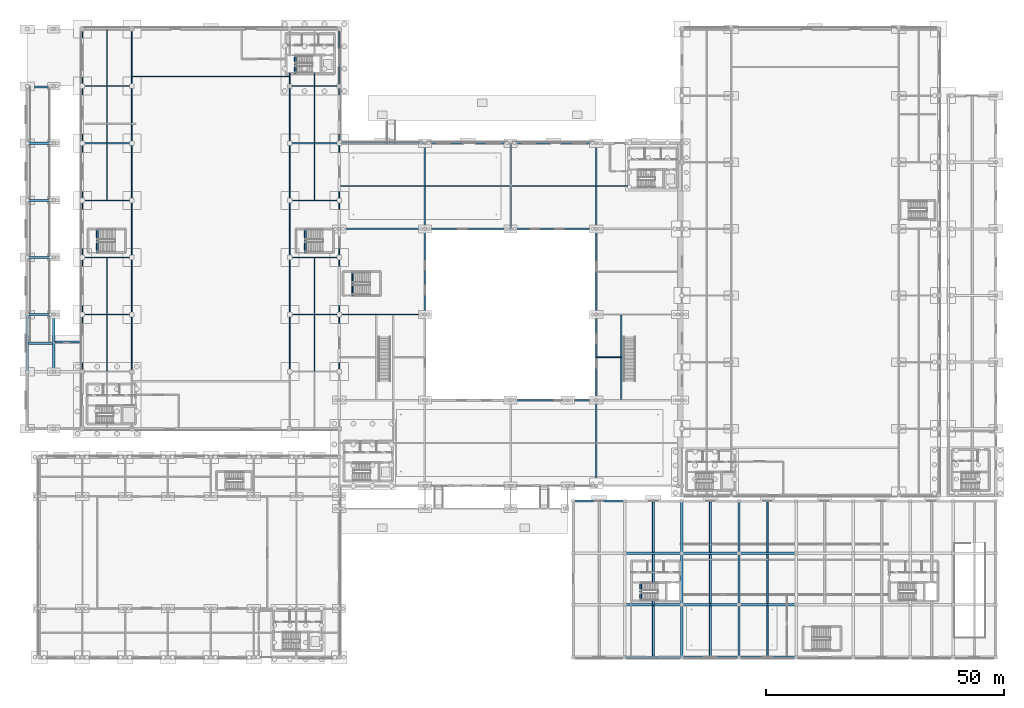
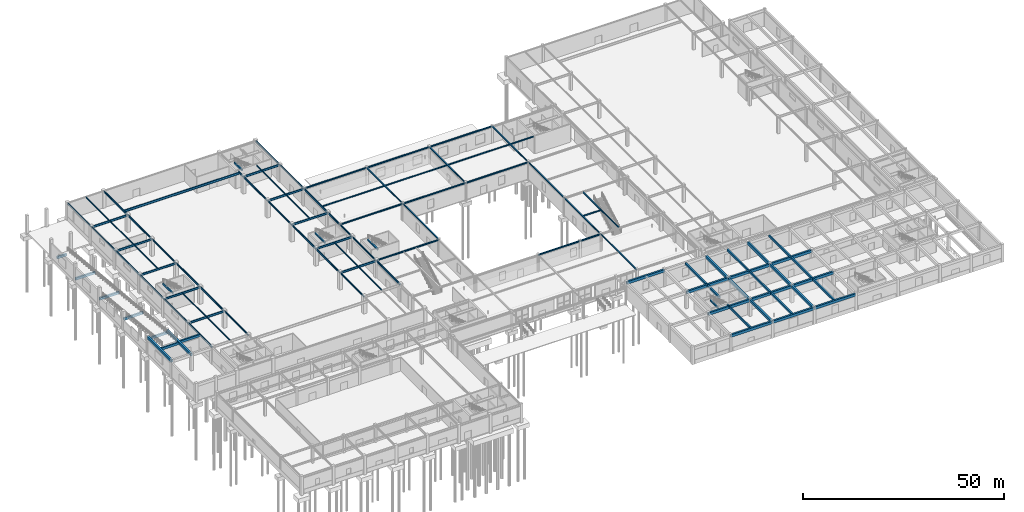
# One storey, part 18 of 53: 106 beams.
"""IFC4 building model written with IfcOpenShell, lengths in metres."""

from ifc_helpers import new_model, si_unit, derived_unit, direction, frame, origin, origin_2d, place, context, subcontext, project, spatial, rectangle, i_section, extrude, material, material_profile, profile_set, type_object, element, save


model = new_model("IFC4")

# Units and contexts
model_context = context("Model", 3, precision=1e-05, world=origin(), true_north=direction((0.0, 1.0)))
body_context = subcontext(model_context, "Body", "Model", "MODEL_VIEW")
ifc_project = project(units=[si_unit("LENGTHUNIT", "METRE"), si_unit("AREAUNIT", "SQUARE_METRE"), si_unit("VOLUMEUNIT", "CUBIC_METRE"), si_unit("PLANEANGLEUNIT", "RADIAN"), si_unit("MASSUNIT", "GRAM", prefix="KILO"), derived_unit("THERMALTRANSMITTANCEUNIT", [(si_unit("POWERUNIT", "WATT"), 1), (si_unit("LENGTHUNIT", "METRE"), -2), (si_unit("THERMODYNAMICTEMPERATUREUNIT", "KELVIN"), -1)])], contexts=[model_context])

# Site, building, storey
site_placement = place(None, origin())
site = spatial("IfcSite", under=ifc_project, at=site_placement, CompositionType="ELEMENT")
building_placement = place(site_placement, origin())
building = spatial("IfcBuilding", under=site, at=building_placement, Name="Almenara Railside Exhibition Hall", CompositionType="ELEMENT")
storey_placement = place(building_placement, origin())
storey = spatial("IfcBuildingStorey", under=building, at=storey_placement, Name="L00", CompositionType="ELEMENT", Elevation=0.0)

# Beams
ifc_material_1 = material(Name="Concrete C35/45", Category="concrete")
ifc_material_profile_1 = material_profile(ifc_material_1, rectangle(XDim=0.449951171875, YDim=0.699951171875, at=origin_2d()), Name="RC 450x700")
ifc_profile_set_1 = profile_set([ifc_material_profile_1], Name="Concrete C35/45")
beam_type_1 = type_object("IfcBeamType", Name="RC Floor Beam 450x700 C35/45", PredefinedType="BEAM", material=ifc_profile_set_1)
beam_1_placement = place(storey_placement, frame((1.905029296875, 119.800048828125, -0.73388671875), z_axis=(1.0, 0.0, 0.0), x_axis=(0.0, 1.0, 0.0)))
element("IfcBeam", 1, at=beam_1_placement, inside=storey, type_object=beam_type_1, Name="BM-TR1-BOT", PredefinedType="BEAM", context=body_context, shape_type="SweptSolid", body=[
    extrude(rectangle(XDim=0.449951171875, YDim=0.699951171875, at=origin_2d()), origin(), (0.0, 0.0, 1.0), 2.7900390625),
])
for number, where, z_axis, x_axis, name in (
    (2, (0.39990234375, 108.0, 0.50048828125), (1.0, 0.0, 0.0), (0.0, 1.0, 0.0), "BM-TR1-SUP-108"),
    (3, (0.39990234375, 96.0, 1.701416015625), (1.0, 0.0, 0.0), (0.0, 1.0, 0.0), "BM-TR1-SUP-96"),
    (4, (0.39990234375, 84.0, 2.902099609375), (1.0, 0.0, 0.0), (0.0, 1.0, 0.0), "BM-TR1-SUP-84"),
    (5, (0.39990234375, 72.0, 4.102783203125), (1.0, 0.0, 0.0), (0.0, 1.0, 0.0), "BM-TR1-SUP-72"),
):
    element("IfcBeam", number, at=place(storey_placement, frame(where, z_axis=z_axis, x_axis=x_axis)), inside=storey, type_object=beam_type_1, Name=name, PredefinedType="BEAM", context=body_context, shape_type="SweptSolid", body=[
        extrude(rectangle(XDim=0.449951171875, YDim=0.699951171875, at=origin_2d()), origin(), (0.0, 0.0, 1.0), 5.60009765625),
    ])
beam_2_placement = place(storey_placement, frame((0.64990234375, 65.8798828125, 4.720947265625), z_axis=(1.0, 0.0, 0.0), x_axis=(0.0, 1.0, 0.0)))
element("IfcBeam", 6, at=beam_2_placement, inside=storey, type_object=beam_type_1, Name="BM-TR1-HDR", PredefinedType="BEAM", context=body_context, shape_type="SweptSolid", body=[
    extrude(rectangle(XDim=0.449951171875, YDim=0.699951171875, at=origin_2d()), origin(), (0.0, 0.0, 1.0), 5.10009765625),
])
beam_3_placement = place(storey_placement, frame((6.25, 66.25, 4.705078125), z_axis=(1.0, 0.0, 0.0), x_axis=(0.0, 1.0, 0.0)))
element("IfcBeam", 7, at=beam_3_placement, inside=storey, type_object=beam_type_1, Name="BM-TR2-HDR", PredefinedType="BEAM", context=body_context, shape_type="SweptSolid", body=[
    extrude(rectangle(XDim=0.449951171875, YDim=0.699951171875, at=origin_2d()), origin(), (0.0, 0.0, 1.0), 5.64453125),
])
ifc_material_profile_2 = material_profile(ifc_material_1, rectangle(XDim=0.5, YDim=0.800048828125, at=origin_2d()), Name="RC 500x800")
ifc_profile_set_2 = profile_set([ifc_material_profile_2], Name="Concrete C35/45")
beam_type_2 = type_object("IfcBeamType", Name="RC Primary Beam 500x800 C35/45", PredefinedType="BEAM", material=ifc_profile_set_2)
for number, where, z_axis, x_axis, name in (
    (8, (126.0, 0.0, 4.736083984375), (1.0, 0.0, 0.0), (0.0, 1.0, 0.0), "Beam 0083"),
    (9, (138.0, 0.0, 4.736083984375), (1.0, 0.0, 0.0), (0.0, 1.0, 0.0), "Beam 0084"),
    (10, (150.0, 0.0, 4.736083984375), (1.0, 0.0, 0.0), (0.0, 1.0, 0.0), "Beam 0085"),
    (11, (126.0, 11.0, 4.736083984375), (1.0, 0.0, 0.0), (0.0, 1.0, 0.0), "Beam 0091"),
    (12, (138.0, 11.0, 4.736083984375), (1.0, 0.0, 0.0), (0.0, 1.0, 0.0), "Beam 0092"),
    (13, (150.0, 11.0, 4.736083984375), (1.0, 0.0, 0.0), (0.0, 1.0, 0.0), "Beam 0093"),
    (14, (126.0, 21.800048828125, 4.736083984375), (1.0, 0.0, 0.0), (0.0, 1.0, 0.0), "Beam 0099"),
    (15, (138.0, 21.800048828125, 4.736083984375), (1.0, 0.0, 0.0), (0.0, 1.0, 0.0), "Beam 0100"),
    (16, (150.0, 21.800048828125, 4.736083984375), (1.0, 0.0, 0.0), (0.0, 1.0, 0.0), "Beam 0101"),
):
    element("IfcBeam", number, at=place(storey_placement, frame(where, z_axis=z_axis, x_axis=x_axis)), inside=storey, type_object=beam_type_2, Name=name, PredefinedType="BEAM", context=body_context, shape_type="SweptSolid", body=[
        extrude(rectangle(XDim=0.5, YDim=0.800048828125, at=origin_2d()), origin(), (0.0, 0.0, 1.0), 12.0),
    ])
beam_4_placement = place(storey_placement, frame((115.199951171875, 32.800048828125, 4.736083984375), z_axis=(1.0, 0.0, 0.0), x_axis=(0.0, 1.0, 0.0)))
element("IfcBeam", 17, at=beam_4_placement, inside=storey, type_object=beam_type_2, Name="Beam 0106", PredefinedType="BEAM", context=body_context, shape_type="SweptSolid", body=[
    extrude(rectangle(XDim=0.5, YDim=0.800048828125, at=origin_2d()), origin(), (0.0, 0.0, 1.0), 10.800048828125),
])
beam_5_placement = place(storey_placement, frame((138.0, 0.0, 4.736083984375), z_axis=(0.0, 1.0, 0.0), x_axis=(-1.0, 0.0, 0.0)))
element("IfcBeam", 18, at=beam_5_placement, inside=storey, type_object=beam_type_2, Name="Beam 0120", PredefinedType="BEAM", context=body_context, shape_type="SweptSolid", body=[
    extrude(rectangle(XDim=0.5, YDim=0.800048828125, at=origin_2d()), origin(), (0.0, 0.0, 1.0), 11.0),
])
beam_6_placement = place(storey_placement, frame((138.0, 11.0, 4.736083984375), z_axis=(0.0, 1.0, 0.0), x_axis=(-1.0, 0.0, 0.0)))
element("IfcBeam", 19, at=beam_6_placement, inside=storey, type_object=beam_type_2, Name="Beam 0121", PredefinedType="BEAM", context=body_context, shape_type="SweptSolid", body=[
    extrude(rectangle(XDim=0.5, YDim=0.800048828125, at=origin_2d()), origin(), (0.0, 0.0, 1.0), 10.800048828125),
])
for number, where, z_axis, x_axis, name in (
    (20, (138.0, 21.800048828125, 4.736083984375), (0.0, 1.0, 0.0), (-1.0, 0.0, 0.0), "Beam 0122"),
    (21, (150.0, 0.0, 4.736083984375), (0.0, 1.0, 0.0), (-1.0, 0.0, 0.0), "Beam 0123"),
):
    element("IfcBeam", number, at=place(storey_placement, frame(where, z_axis=z_axis, x_axis=x_axis)), inside=storey, type_object=beam_type_2, Name=name, PredefinedType="BEAM", context=body_context, shape_type="SweptSolid", body=[
        extrude(rectangle(XDim=0.5, YDim=0.800048828125, at=origin_2d()), origin(), (0.0, 0.0, 1.0), 11.0),
    ])
beam_7_placement = place(storey_placement, frame((150.0, 11.0, 4.736083984375), z_axis=(0.0, 1.0, 0.0), x_axis=(-1.0, 0.0, 0.0)))
element("IfcBeam", 22, at=beam_7_placement, inside=storey, type_object=beam_type_2, Name="Beam 0124", PredefinedType="BEAM", context=body_context, shape_type="SweptSolid", body=[
    extrude(rectangle(XDim=0.5, YDim=0.800048828125, at=origin_2d()), origin(), (0.0, 0.0, 1.0), 10.800048828125),
])
beam_8_placement = place(storey_placement, frame((150.0, 21.800048828125, 4.736083984375), z_axis=(0.0, 1.0, 0.0), x_axis=(-1.0, 0.0, 0.0)))
element("IfcBeam", 23, at=beam_8_placement, inside=storey, type_object=beam_type_2, Name="Beam 0125", PredefinedType="BEAM", context=body_context, shape_type="SweptSolid", body=[
    extrude(rectangle(XDim=0.5, YDim=0.800048828125, at=origin_2d()), origin(), (0.0, 0.0, 1.0), 11.0),
])
for number, where, z_axis, x_axis, name in (
    (24, (0.39990234375, 60.0, 4.6708984375), (0.0, 1.0, 0.0), (-1.0, 0.0, 0.0), "Beam 0959"),
    (25, (6.0, 60.0, 4.6708984375), (0.0, 1.0, 0.0), (-1.0, 0.0, 0.0), "Beam 0960"),
):
    element("IfcBeam", number, at=place(storey_placement, frame(where, z_axis=z_axis, x_axis=x_axis)), inside=storey, type_object=beam_type_2, Name=name, PredefinedType="BEAM", context=body_context, shape_type="SweptSolid", body=[
        extrude(rectangle(XDim=0.5, YDim=0.800048828125, at=origin_2d()), origin(), (0.0, 0.0, 1.0), 12.0),
    ])
ifc_material_profile_3 = material_profile(ifc_material_1, rectangle(XDim=0.39990234375, YDim=0.60009765625, at=origin_2d()), Name="RC 400x600")
ifc_profile_set_3 = profile_set([ifc_material_profile_3], Name="Concrete C35/45")
beam_type_3 = type_object("IfcBeamType", Name="RC Secondary Beam 400x600 C35/45", PredefinedType="BEAM", material=ifc_profile_set_3)
beam_9_placement = place(storey_placement, frame((132.0, 0.25, 4.8359375), z_axis=(0.0, 1.0, 0.0), x_axis=(-1.0, 0.0, 0.0)))
element("IfcBeam", 26, at=beam_9_placement, inside=storey, type_object=beam_type_3, Name="Beam 0145", PredefinedType="BEAM", context=body_context, shape_type="SweptSolid", body=[
    extrude(rectangle(XDim=0.39990234375, YDim=0.60009765625, at=origin_2d()), origin(), (0.0, 0.0, 1.0), 10.5),
])
beam_10_placement = place(storey_placement, frame((132.0, 11.0, 4.8359375), z_axis=(0.0, 1.0, 0.0), x_axis=(-1.0, 0.0, 0.0)))
element("IfcBeam", 27, at=beam_10_placement, inside=storey, type_object=beam_type_3, Name="Beam 0146", PredefinedType="BEAM", context=body_context, shape_type="SweptSolid", body=[
    extrude(rectangle(XDim=0.39990234375, YDim=0.60009765625, at=origin_2d()), origin(), (0.0, 0.0, 1.0), 0.89990234375),
])
beam_11_placement = place(storey_placement, frame((132.0, 15.6201171875, 4.8359375), z_axis=(0.0, 1.0, 0.0), x_axis=(-1.0, 0.0, 0.0)))
element("IfcBeam", 28, at=beam_11_placement, inside=storey, type_object=beam_type_3, Name="Beam 0147", PredefinedType="BEAM", context=body_context, shape_type="SweptSolid", body=[
    extrude(rectangle(XDim=0.39990234375, YDim=0.60009765625, at=origin_2d()), origin(), (0.0, 0.0, 1.0), 5.929931640625),
])
for number, where, z_axis, x_axis, name in (
    (29, (132.0, 22.050048828125, 4.8359375), (0.0, 1.0, 0.0), (-1.0, 0.0, 0.0), "Beam 0148"),
    (30, (144.0, 0.25, 4.8359375), (0.0, 1.0, 0.0), (-1.0, 0.0, 0.0), "Beam 0149"),
):
    element("IfcBeam", number, at=place(storey_placement, frame(where, z_axis=z_axis, x_axis=x_axis)), inside=storey, type_object=beam_type_3, Name=name, PredefinedType="BEAM", context=body_context, shape_type="SweptSolid", body=[
        extrude(rectangle(XDim=0.39990234375, YDim=0.60009765625, at=origin_2d()), origin(), (0.0, 0.0, 1.0), 10.5),
    ])
beam_12_placement = place(storey_placement, frame((144.0, 11.25, 4.8359375), z_axis=(0.0, 1.0, 0.0), x_axis=(-1.0, 0.0, 0.0)))
element("IfcBeam", 31, at=beam_12_placement, inside=storey, type_object=beam_type_3, Name="Beam 0150", PredefinedType="BEAM", context=body_context, shape_type="SweptSolid", body=[
    extrude(rectangle(XDim=0.39990234375, YDim=0.60009765625, at=origin_2d()), origin(), (0.0, 0.0, 1.0), 10.300048828125),
])
for number, where, z_axis, x_axis, name in (
    (32, (144.0, 22.050048828125, 4.8359375), (0.0, 1.0, 0.0), (-1.0, 0.0, 0.0), "Beam 0151"),
    (33, (156.0, 0.25, 4.8359375), (0.0, 1.0, 0.0), (-1.0, 0.0, 0.0), "Beam 0152"),
):
    element("IfcBeam", number, at=place(storey_placement, frame(where, z_axis=z_axis, x_axis=x_axis)), inside=storey, type_object=beam_type_3, Name=name, PredefinedType="BEAM", context=body_context, shape_type="SweptSolid", body=[
        extrude(rectangle(XDim=0.39990234375, YDim=0.60009765625, at=origin_2d()), origin(), (0.0, 0.0, 1.0), 10.5),
    ])
beam_13_placement = place(storey_placement, frame((156.0, 11.25, 4.8359375), z_axis=(0.0, 1.0, 0.0), x_axis=(-1.0, 0.0, 0.0)))
element("IfcBeam", 34, at=beam_13_placement, inside=storey, type_object=beam_type_3, Name="Beam 0153", PredefinedType="BEAM", context=body_context, shape_type="SweptSolid", body=[
    extrude(rectangle(XDim=0.39990234375, YDim=0.60009765625, at=origin_2d()), origin(), (0.0, 0.0, 1.0), 10.300048828125),
])
beam_14_placement = place(storey_placement, frame((156.0, 22.050048828125, 4.8359375), z_axis=(0.0, 1.0, 0.0), x_axis=(-1.0, 0.0, 0.0)))
element("IfcBeam", 35, at=beam_14_placement, inside=storey, type_object=beam_type_3, Name="Beam 0154", PredefinedType="BEAM", context=body_context, shape_type="SweptSolid", body=[
    extrude(rectangle(XDim=0.39990234375, YDim=0.60009765625, at=origin_2d()), origin(), (0.0, 0.0, 1.0), 10.5),
])
ifc_material_profile_4 = material_profile(ifc_material_1, rectangle(XDim=0.35009765625, YDim=0.5, at=origin_2d()), Name="RC 350x500")
ifc_profile_set_4 = profile_set([ifc_material_profile_4], Name="Concrete C35/45")
beam_type_4 = type_object("IfcBeamType", Name="RC Spandrel Tie Beam 350x500 C35/45", PredefinedType="SPANDREL", material=ifc_profile_set_4)
for number, where, z_axis, x_axis, name in (
    (36, (56.75, 122.60009765625, 4.889892578125), (0.0, 1.0, 0.0), (-1.0, 0.0, 0.0), "Stair trimmer ST-C2-L00"),
    (37, (129.35009765625, 11.800048828125, 4.885986328125), (0.0, 1.0, 0.0), (-1.0, 0.0, 0.0), "Stair trimmer ST-C5-L00"),
):
    element("IfcBeam", number, at=place(storey_placement, frame(where, z_axis=z_axis, x_axis=x_axis)), inside=storey, type_object=beam_type_4, Name=name, PredefinedType="SPANDREL", context=body_context, shape_type="SweptSolid", body=[
        extrude(rectangle(XDim=0.35009765625, YDim=0.5, at=origin_2d()), origin(), (0.0, 0.0, 1.0), 3.89990234375),
    ])
for number, where, z_axis, x_axis, name in (
    (38, (15.14990234375, 85.0, 4.889892578125), (0.0, 1.0, 0.0), (-1.0, 0.0, 0.0), "Stair trimmer HST1-L00"),
    (39, (58.85009765625, 85.0, 4.889892578125), (0.0, 1.0, 0.0), (-1.0, 0.0, 0.0), "Stair trimmer HST2-L00"),
    (40, (68.75, 76.0, 4.885986328125), (0.0, 1.0, 0.0), (-1.0, 0.0, 0.0), "Stair trimmer HST3-L00"),
):
    element("IfcBeam", number, at=place(storey_placement, frame(where, z_axis=z_axis, x_axis=x_axis)), inside=storey, type_object=beam_type_4, Name=name, PredefinedType="SPANDREL", context=body_context, shape_type="SweptSolid", body=[
        extrude(rectangle(XDim=0.35009765625, YDim=0.5, at=origin_2d()), origin(), (0.0, 0.0, 1.0), 5.0),
    ])
ifc_material_2 = material(Name="Structural steel S355JR", Category="steel")
ifc_material_profile_5 = material_profile(ifc_material_2, i_section(OverallWidth=0.300048828125, OverallDepth=0.31005859375, WebThickness=0.009033203125, FlangeThickness=0.015380859375, FilletRadius=0.027099609375, at=origin_2d()), Name="HEA 320")
ifc_profile_set_5 = profile_set([ifc_material_profile_5], Name="Structural steel S355JR")
beam_type_5 = type_object("IfcBeamType", Name="Steel Concourse Edge Beam HEA 320 S355JR", PredefinedType="BEAM", material=ifc_profile_set_5)
beam_15_placement = place(storey_placement, frame((125.300048828125, 54.14990234375, 4.98095703125), z_axis=(0.0, 1.0, 0.0), x_axis=(-1.0, 0.0, 0.0)))
element("IfcBeam", 41, at=beam_15_placement, inside=storey, type_object=beam_type_5, Name="Beam 0727", PredefinedType="BEAM", context=body_context, shape_type="SweptSolid", body=[
    extrude(i_section(OverallWidth=0.300048828125, OverallDepth=0.31005859375, WebThickness=0.009033203125, FlangeThickness=0.015380859375, FilletRadius=0.027099609375, at=origin_2d()), origin(), (0.0, 0.0, 1.0), 17.7001953125),
])
for number, where, z_axis, x_axis, name in (
    (42, (84.0, 72.0, 4.985107421875), (0.0, 1.0, 0.0), (-1.0, 0.0, 0.0), "Beam 0771"),
    (43, (84.0, 90.0, 4.98095703125), (0.0, 1.0, 0.0), (-1.0, 0.0, 0.0), "Beam 0772"),
    (44, (102.0, 90.0, 4.98095703125), (0.0, 1.0, 0.0), (-1.0, 0.0, 0.0), "Beam 0774"),
    (45, (120.0, 36.0, 4.98095703125), (0.0, 1.0, 0.0), (-1.0, 0.0, 0.0), "Beam 0775"),
    (46, (120.0, 54.0, 4.985107421875), (0.0, 1.0, 0.0), (-1.0, 0.0, 0.0), "Beam 0776"),
    (47, (120.0, 72.0, 4.985107421875), (0.0, 1.0, 0.0), (-1.0, 0.0, 0.0), "Beam 0777"),
    (48, (120.0, 90.0, 4.98095703125), (0.0, 1.0, 0.0), (-1.0, 0.0, 0.0), "Beam 0778"),
):
    element("IfcBeam", number, at=place(storey_placement, frame(where, z_axis=z_axis, x_axis=x_axis)), inside=storey, type_object=beam_type_5, Name=name, PredefinedType="BEAM", context=body_context, shape_type="SweptSolid", body=[
        extrude(i_section(OverallWidth=0.300048828125, OverallDepth=0.31005859375, WebThickness=0.009033203125, FlangeThickness=0.015380859375, FilletRadius=0.027099609375, at=origin_2d()), origin(), (0.0, 0.0, 1.0), 18.0),
    ])
ifc_material_profile_6 = material_profile(ifc_material_2, i_section(OverallWidth=0.300048828125, OverallDepth=0.389892578125, WebThickness=0.010986328125, FlangeThickness=0.01904296875, FilletRadius=0.027099609375, at=origin_2d()), Name="HEA 400")
ifc_profile_set_6 = profile_set([ifc_material_profile_6], Name="Structural steel S355JR")
beam_type_6 = type_object("IfcBeamType", Name="Steel Concourse Main Beam HEA 400 S355JR", PredefinedType="BEAM", material=ifc_profile_set_6)
for number, where, z_axis, x_axis, name in (
    (49, (102.0, 54.0, 4.945068359375), (1.0, 0.0, 0.0), (0.0, 1.0, 0.0), "Beam 0749"),
    (50, (66.0, 72.0, 4.94091796875), (1.0, 0.0, 0.0), (0.0, 1.0, 0.0), "Beam 0752"),
    (51, (66.0, 90.0, 4.94091796875), (1.0, 0.0, 0.0), (0.0, 1.0, 0.0), "Beam 0756"),
    (52, (84.0, 90.0, 4.945068359375), (1.0, 0.0, 0.0), (0.0, 1.0, 0.0), "Beam 0758"),
    (53, (102.0, 90.0, 4.945068359375), (1.0, 0.0, 0.0), (0.0, 1.0, 0.0), "Beam 0760"),
    (54, (66.0, 108.0, 4.94091796875), (1.0, 0.0, 0.0), (0.0, 1.0, 0.0), "Beam 0764"),
    (55, (84.0, 108.0, 4.94091796875), (1.0, 0.0, 0.0), (0.0, 1.0, 0.0), "Beam 0765"),
    (56, (102.0, 108.0, 4.94091796875), (1.0, 0.0, 0.0), (0.0, 1.0, 0.0), "Beam 0766"),
):
    element("IfcBeam", number, at=place(storey_placement, frame(where, z_axis=z_axis, x_axis=x_axis)), inside=storey, type_object=beam_type_6, Name=name, PredefinedType="BEAM", context=body_context, shape_type="SweptSolid", body=[
        extrude(i_section(OverallWidth=0.300048828125, OverallDepth=0.389892578125, WebThickness=0.010986328125, FlangeThickness=0.01904296875, FilletRadius=0.027099609375, at=origin_2d()), origin(), (0.0, 0.0, 1.0), 18.0),
    ])
ifc_material_profile_7 = material_profile(ifc_material_2, i_section(OverallWidth=0.22900390625, OverallDepth=0.6123046875, WebThickness=0.011962890625, FlangeThickness=0.01953125, FilletRadius=0.0126953125, at=origin_2d()), Name="UB 610x229x125")
ifc_profile_set_7 = profile_set([ifc_material_profile_7], Name="Structural steel S355JR")
beam_type_7 = type_object("IfcBeamType", Name="Steel Gallery Girder UB 610x229x125 S355JR", PredefinedType="USERDEFINED", material=ifc_profile_set_7)
for number, where, z_axis, x_axis, name in (
    (57, (12.0, 72.0, 4.833984375), (1.0, 0.0, 0.0), (0.0, 1.0, 0.0), "Beam 0494"),
    (58, (55.60009765625, 72.0, 4.833984375), (1.0, 0.0, 0.0), (0.0, 1.0, 0.0), "Beam 0495"),
    (59, (12.0, 84.0, 4.833984375), (1.0, 0.0, 0.0), (0.0, 1.0, 0.0), "Beam 0496"),
    (60, (55.60009765625, 84.0, 4.833984375), (1.0, 0.0, 0.0), (0.0, 1.0, 0.0), "Beam 0497"),
    (61, (12.0, 96.0, 4.833984375), (1.0, 0.0, 0.0), (0.0, 1.0, 0.0), "Beam 0498"),
    (62, (55.60009765625, 96.0, 4.833984375), (1.0, 0.0, 0.0), (0.0, 1.0, 0.0), "Beam 0499"),
    (63, (12.0, 108.0, 4.833984375), (1.0, 0.0, 0.0), (0.0, 1.0, 0.0), "Beam 0500"),
    (64, (55.60009765625, 108.0, 4.833984375), (1.0, 0.0, 0.0), (0.0, 1.0, 0.0), "Beam 0501"),
    (65, (12.0, 120.0, 4.833984375), (1.0, 0.0, 0.0), (0.0, 1.0, 0.0), "Beam 0502"),
    (66, (55.60009765625, 120.0, 4.833984375), (1.0, 0.0, 0.0), (0.0, 1.0, 0.0), "Beam 0503"),
):
    element("IfcBeam", number, at=place(storey_placement, frame(where, z_axis=z_axis, x_axis=x_axis)), inside=storey, type_object=beam_type_7, Name=name, ObjectType="GIRDER", PredefinedType="USERDEFINED", context=body_context, shape_type="SweptSolid", body=[
        extrude(i_section(OverallWidth=0.22900390625, OverallDepth=0.6123046875, WebThickness=0.011962890625, FlangeThickness=0.01953125, FilletRadius=0.0126953125, at=origin_2d()), origin(), (0.0, 0.0, 1.0), 10.39990234375),
    ])
ifc_material_profile_8 = material_profile(ifc_material_2, i_section(OverallWidth=0.172119140625, OverallDepth=0.35791015625, WebThickness=0.008056640625, FlangeThickness=0.012939453125, FilletRadius=0.01025390625, at=origin_2d()), Name="UB 356x171x57")
ifc_profile_set_8 = profile_set([ifc_material_profile_8], Name="Structural steel S355JR")
beam_type_8 = type_object("IfcBeamType", Name="Steel Gallery Joist UB 356x171x57 S355JR", PredefinedType="JOIST", material=ifc_profile_set_8)
for number, where, z_axis, x_axis, name in (
    (67, (17.199951171875, 60.114501953125, 4.9609375), (0.0, 1.0, 0.0), (-1.0, 0.0, 0.0), "Beam 0519"),
    (68, (17.199951171875, 72.114501953125, 4.9609375), (0.0, 1.0, 0.0), (-1.0, 0.0, 0.0), "Beam 0520"),
    (69, (17.199951171875, 96.114501953125, 4.9609375), (0.0, 1.0, 0.0), (-1.0, 0.0, 0.0), "Beam 0522"),
    (70, (17.199951171875, 108.114501953125, 4.9609375), (0.0, 1.0, 0.0), (-1.0, 0.0, 0.0), "Beam 0523"),
    (71, (17.199951171875, 120.114501953125, 4.9609375), (0.0, 1.0, 0.0), (-1.0, 0.0, 0.0), "Beam 0524"),
    (72, (60.800048828125, 60.114501953125, 4.9609375), (0.0, 1.0, 0.0), (-1.0, 0.0, 0.0), "Beam 0542"),
    (73, (60.800048828125, 72.114501953125, 4.9609375), (0.0, 1.0, 0.0), (-1.0, 0.0, 0.0), "Beam 0543"),
    (74, (60.800048828125, 96.114501953125, 4.9609375), (0.0, 1.0, 0.0), (-1.0, 0.0, 0.0), "Beam 0545"),
    (75, (60.800048828125, 108.114501953125, 4.9609375), (0.0, 1.0, 0.0), (-1.0, 0.0, 0.0), "Beam 0546"),
):
    element("IfcBeam", number, at=place(storey_placement, frame(where, z_axis=z_axis, x_axis=x_axis)), inside=storey, type_object=beam_type_8, Name=name, PredefinedType="JOIST", context=body_context, shape_type="SweptSolid", body=[
        extrude(i_section(OverallWidth=0.172119140625, OverallDepth=0.35791015625, WebThickness=0.008056640625, FlangeThickness=0.012939453125, FilletRadius=0.01025390625, at=origin_2d()), origin(), (0.0, 0.0, 1.0), 11.77099609375),
    ])
beam_16_placement = place(storey_placement, frame((60.800048828125, 120.114501953125, 4.9609375), z_axis=(0.0, 1.0, 0.0), x_axis=(-1.0, 0.0, 0.0)))
element("IfcBeam", 76, at=beam_16_placement, inside=storey, type_object=beam_type_8, Name="Beam 0547", PredefinedType="JOIST", context=body_context, shape_type="SweptSolid", body=[
    extrude(i_section(OverallWidth=0.172119140625, OverallDepth=0.35791015625, WebThickness=0.008056640625, FlangeThickness=0.012939453125, FilletRadius=0.01025390625, at=origin_2d()), origin(), (0.0, 0.0, 1.0), 2.58544921875),
])
ifc_material_profile_9 = material_profile(ifc_material_2, i_section(OverallWidth=0.253662109375, OverallDepth=0.68359375, WebThickness=0.012451171875, FlangeThickness=0.01904296875, FilletRadius=0.01513671875, at=origin_2d()), Name="UB 686x254x140")
ifc_profile_set_9 = profile_set([ifc_material_profile_9], Name="Structural steel S355JR")
beam_type_9 = type_object("IfcBeamType", Name="Steel Heavy Deck Girder UB 686x254x140 S355JR", PredefinedType="USERDEFINED", material=ifc_profile_set_9)
beam_17_placement = place(storey_placement, frame((22.50537109375, 122.0, 4.79833984375), z_axis=(1.0, 0.0, 0.0), x_axis=(0.0, 1.0, 0.0)))
element("IfcBeam", 77, at=beam_17_placement, inside=storey, type_object=beam_type_9, Name="Beam 0508", ObjectType="GIRDER", PredefinedType="USERDEFINED", context=body_context, shape_type="SweptSolid", body=[
    extrude(i_section(OverallWidth=0.253662109375, OverallDepth=0.68359375, WebThickness=0.012451171875, FlangeThickness=0.01904296875, FilletRadius=0.01513671875, at=origin_2d()), origin(), (0.0, 0.0, 1.0), 32.9892578125),
])
ifc_material_profile_10 = material_profile(ifc_material_2, i_section(OverallWidth=0.210693359375, OverallDepth=0.53955078125, WebThickness=0.01171875, FlangeThickness=0.018798828125, FilletRadius=0.0126953125, at=origin_2d()), Name="UB 533x210x109")
ifc_profile_set_10 = profile_set([ifc_material_profile_10], Name="Structural steel S355JR")
beam_type_10 = type_object("IfcBeamType", Name="Steel Heavy Floor Beam UB 533x210x109 S355JR", PredefinedType="BEAM", material=ifc_profile_set_10)
for number, where, z_axis, x_axis, name in (
    (78, (12.0, 60.0, 4.870361328125), (0.0, 1.0, 0.0), (-1.0, 0.0, 0.0), "Beam 0511"),
    (79, (12.0, 72.0, 4.870361328125), (0.0, 1.0, 0.0), (-1.0, 0.0, 0.0), "Beam 0512"),
    (80, (12.0, 84.0, 4.870361328125), (0.0, 1.0, 0.0), (-1.0, 0.0, 0.0), "Beam 0513"),
    (81, (12.0, 96.0, 4.870361328125), (0.0, 1.0, 0.0), (-1.0, 0.0, 0.0), "Beam 0514"),
    (82, (12.0, 108.0, 4.870361328125), (0.0, 1.0, 0.0), (-1.0, 0.0, 0.0), "Beam 0515"),
    (83, (12.0, 120.0, 4.870361328125), (0.0, 1.0, 0.0), (-1.0, 0.0, 0.0), "Beam 0516"),
    (84, (22.39990234375, 60.0, 4.870361328125), (0.0, 1.0, 0.0), (-1.0, 0.0, 0.0), "Beam 0527"),
    (85, (22.39990234375, 72.0, 4.870361328125), (0.0, 1.0, 0.0), (-1.0, 0.0, 0.0), "Beam 0528"),
    (86, (22.39990234375, 84.0, 4.870361328125), (0.0, 1.0, 0.0), (-1.0, 0.0, 0.0), "Beam 0529"),
    (87, (22.39990234375, 96.0, 4.870361328125), (0.0, 1.0, 0.0), (-1.0, 0.0, 0.0), "Beam 0530"),
    (88, (22.39990234375, 108.0, 4.870361328125), (0.0, 1.0, 0.0), (-1.0, 0.0, 0.0), "Beam 0531"),
    (89, (22.39990234375, 120.0, 4.870361328125), (0.0, 1.0, 0.0), (-1.0, 0.0, 0.0), "Beam 0532"),
    (90, (55.60009765625, 60.0, 4.870361328125), (0.0, 1.0, 0.0), (-1.0, 0.0, 0.0), "Beam 0534"),
    (91, (55.60009765625, 72.0, 4.870361328125), (0.0, 1.0, 0.0), (-1.0, 0.0, 0.0), "Beam 0535"),
    (92, (55.60009765625, 84.0, 4.870361328125), (0.0, 1.0, 0.0), (-1.0, 0.0, 0.0), "Beam 0536"),
    (93, (55.60009765625, 96.0, 4.870361328125), (0.0, 1.0, 0.0), (-1.0, 0.0, 0.0), "Beam 0537"),
    (94, (55.60009765625, 108.0, 4.870361328125), (0.0, 1.0, 0.0), (-1.0, 0.0, 0.0), "Beam 0538"),
):
    element("IfcBeam", number, at=place(storey_placement, frame(where, z_axis=z_axis, x_axis=x_axis)), inside=storey, type_object=beam_type_10, Name=name, PredefinedType="BEAM", context=body_context, shape_type="SweptSolid", body=[
        extrude(i_section(OverallWidth=0.210693359375, OverallDepth=0.53955078125, WebThickness=0.01171875, FlangeThickness=0.018798828125, FilletRadius=0.0126953125, at=origin_2d()), origin(), (0.0, 0.0, 1.0), 12.0),
    ])
beam_18_placement = place(storey_placement, frame((55.60009765625, 120.0, 4.870361328125), z_axis=(0.0, 1.0, 0.0), x_axis=(-1.0, 0.0, 0.0)))
element("IfcBeam", 95, at=beam_18_placement, inside=storey, type_object=beam_type_10, Name="Beam 0539", PredefinedType="BEAM", context=body_context, shape_type="SweptSolid", body=[
    extrude(i_section(OverallWidth=0.210693359375, OverallDepth=0.53955078125, WebThickness=0.01171875, FlangeThickness=0.018798828125, FilletRadius=0.0126953125, at=origin_2d()), origin(), (0.0, 0.0, 1.0), 2.699951171875),
])
for number, where, z_axis, x_axis, name in (
    (96, (66.0, 60.0, 4.8662109375), (0.0, 1.0, 0.0), (-1.0, 0.0, 0.0), "Beam 0550"),
    (97, (66.0, 72.0, 4.8662109375), (0.0, 1.0, 0.0), (-1.0, 0.0, 0.0), "Beam 0551"),
    (98, (66.0, 84.0, 4.8662109375), (0.0, 1.0, 0.0), (-1.0, 0.0, 0.0), "Beam 0552"),
    (99, (66.0, 96.0, 4.8662109375), (0.0, 1.0, 0.0), (-1.0, 0.0, 0.0), "Beam 0553"),
    (100, (66.0, 108.0, 4.870361328125), (0.0, 1.0, 0.0), (-1.0, 0.0, 0.0), "Beam 0554"),
    (101, (66.0, 120.0, 4.870361328125), (0.0, 1.0, 0.0), (-1.0, 0.0, 0.0), "Beam 0555"),
):
    element("IfcBeam", number, at=place(storey_placement, frame(where, z_axis=z_axis, x_axis=x_axis)), inside=storey, type_object=beam_type_10, Name=name, PredefinedType="BEAM", context=body_context, shape_type="SweptSolid", body=[
        extrude(i_section(OverallWidth=0.210693359375, OverallDepth=0.53955078125, WebThickness=0.01171875, FlangeThickness=0.018798828125, FilletRadius=0.0126953125, at=origin_2d()), origin(), (0.0, 0.0, 1.0), 12.0),
    ])
ifc_material_profile_11 = material_profile(ifc_material_2, i_section(OverallWidth=0.177734375, OverallDepth=0.402587890625, WebThickness=0.0078125, FlangeThickness=0.010986328125, FilletRadius=0.01025390625, at=origin_2d()), Name="UB 406x178x54")
ifc_profile_set_11 = profile_set([ifc_material_profile_11], Name="Structural steel S355JR")
beam_type_11 = type_object("IfcBeamType", Name="Steel Secondary Joist UB 406x178x54 S355JR", PredefinedType="JOIST", material=ifc_profile_set_11)
beam_19_placement = place(storey_placement, frame((120.14990234375, 63.0, 4.934814453125), z_axis=(1.0, 0.0, 0.0), x_axis=(0.0, 1.0, 0.0)))
element("IfcBeam", 102, at=beam_19_placement, inside=storey, type_object=beam_type_11, Name="Beam 0751", PredefinedType="JOIST", context=body_context, shape_type="SweptSolid", body=[
    extrude(i_section(OverallWidth=0.177734375, OverallDepth=0.402587890625, WebThickness=0.0078125, FlangeThickness=0.010986328125, FilletRadius=0.01025390625, at=origin_2d()), origin(), (0.0, 0.0, 1.0), 5.0),
])
beam_20_placement = place(storey_placement, frame((66.10546875, 99.0, 4.934814453125), z_axis=(1.0, 0.0, 0.0), x_axis=(0.0, 1.0, 0.0)))
element("IfcBeam", 103, at=beam_20_placement, inside=storey, type_object=beam_type_11, Name="Beam 0757", PredefinedType="JOIST", context=body_context, shape_type="SweptSolid", body=[
    extrude(i_section(OverallWidth=0.177734375, OverallDepth=0.402587890625, WebThickness=0.0078125, FlangeThickness=0.010986328125, FilletRadius=0.01025390625, at=origin_2d()), origin(), (0.0, 0.0, 1.0), 17.74462890625),
])
for number, where, z_axis, x_axis, name in (
    (104, (84.14990234375, 99.0, 4.934814453125), (1.0, 0.0, 0.0), (0.0, 1.0, 0.0), "Beam 0759"),
    (105, (102.14990234375, 99.0, 4.934814453125), (1.0, 0.0, 0.0), (0.0, 1.0, 0.0), "Beam 0761"),
):
    element("IfcBeam", number, at=place(storey_placement, frame(where, z_axis=z_axis, x_axis=x_axis)), inside=storey, type_object=beam_type_11, Name=name, PredefinedType="JOIST", context=body_context, shape_type="SweptSolid", body=[
        extrude(i_section(OverallWidth=0.177734375, OverallDepth=0.402587890625, WebThickness=0.0078125, FlangeThickness=0.010986328125, FilletRadius=0.01025390625, at=origin_2d()), origin(), (0.0, 0.0, 1.0), 17.7001953125),
    ])
beam_21_placement = place(storey_placement, frame((120.14990234375, 99.0, 4.934814453125), z_axis=(1.0, 0.0, 0.0), x_axis=(0.0, 1.0, 0.0)))
element("IfcBeam", 106, at=beam_21_placement, inside=storey, type_object=beam_type_11, Name="Beam 0763", PredefinedType="JOIST", context=body_context, shape_type="SweptSolid", body=[
    extrude(i_section(OverallWidth=0.177734375, OverallDepth=0.402587890625, WebThickness=0.0078125, FlangeThickness=0.010986328125, FilletRadius=0.01025390625, at=origin_2d()), origin(), (0.0, 0.0, 1.0), 6.75),
])

save(model, "model.ifc")
